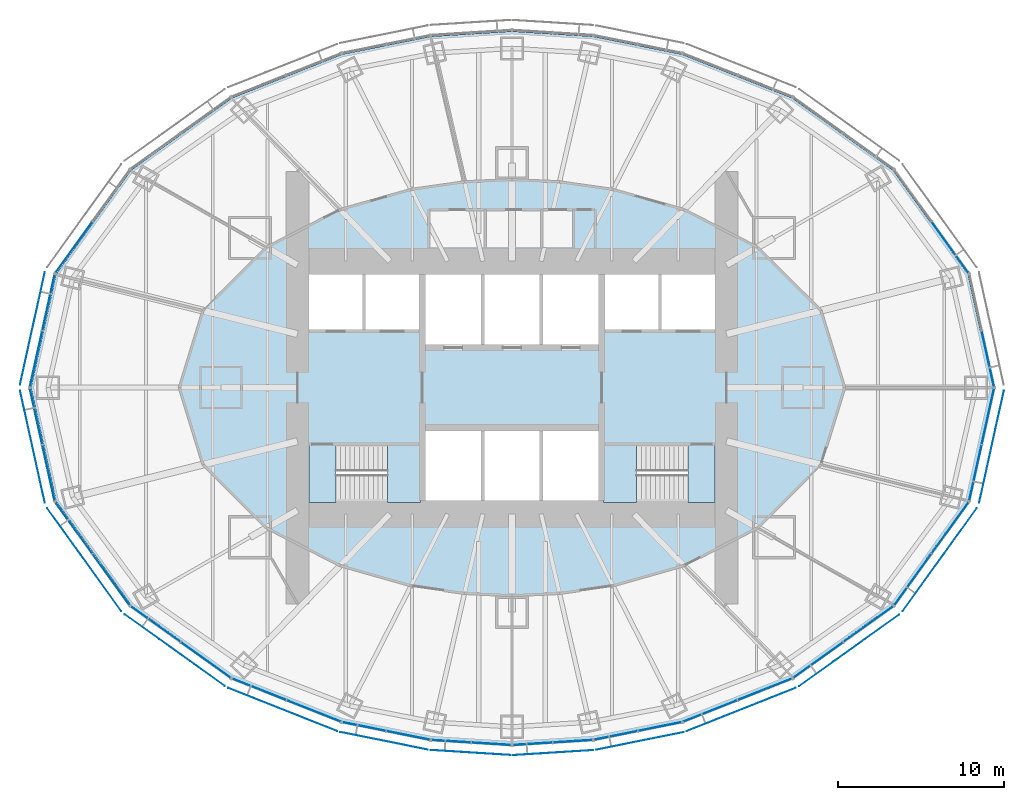
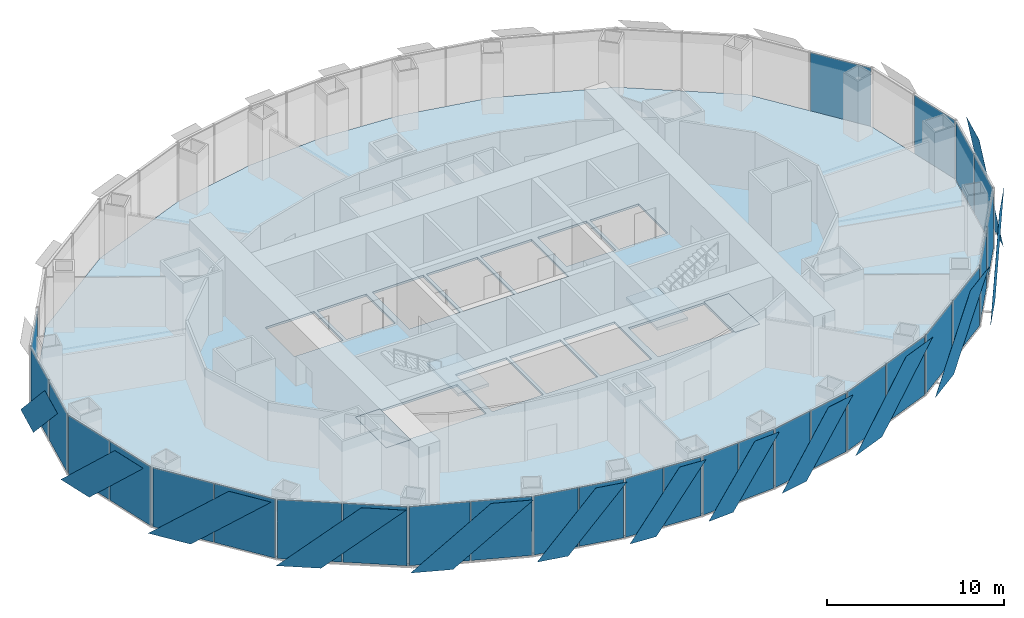
# One storey, part 9 of 18: 42 plates, 5 slabs, 18 elements without a shape of their own.
"""IFC4 building model written with IfcOpenShell, lengths in metres."""

from ifc_helpers import new_model, si_unit, direction, frame, origin, origin_2d, place, context, subcontext, project, spatial, polyline, rectangle, outline, extrude, material, layer, layer_set, type_object, element, aggregate, save


model = new_model("IFC4")

# Units and contexts
model_context = context("Model", 3, precision=1e-05, world=origin(), true_north=direction((0.0, 1.0)))
body_context = subcontext(model_context, "Body", "Model", "MODEL_VIEW")
ifc_project = project(units=[si_unit("LENGTHUNIT", "METRE"), si_unit("AREAUNIT", "SQUARE_METRE"), si_unit("VOLUMEUNIT", "CUBIC_METRE"), si_unit("PLANEANGLEUNIT", "RADIAN"), si_unit("MASSUNIT", "GRAM", prefix="KILO")], contexts=[model_context])

# Site, building, storey
site_placement = place(None, origin())
site = spatial("IfcSite", under=ifc_project, at=site_placement, CompositionType="ELEMENT")
building_placement = place(site_placement, origin())
building = spatial("IfcBuilding", under=site, at=building_placement, Name="Lantaw Convention Tower", CompositionType="ELEMENT")
storey_placement = place(building_placement, frame((0.0, 0.0, 134.199951171875)))
storey = spatial("IfcBuildingStorey", under=building, at=storey_placement, Name="L31", CompositionType="ELEMENT", Elevation=134.199951171875)

# Curtain wall, plate
ifc_material_1 = material(Name="Aluminium framed curtain wall", Category="aluminium")
curtain_wall_type = type_object("IfcCurtainWallType", Name="Office curtain wall low rise, pale aluminium", PredefinedType="USERDEFINED", material=ifc_material_1)
curtain_wall_1_placement = place(storey_placement, origin())
curtain_wall_1 = element("IfcCurtainWall", 1, at=curtain_wall_1_placement, inside=storey, type_object=curtain_wall_type, Name="Office curtain wall low rise, pale aluminium L31", ObjectType="UNITISED CURTAIN WALL", PredefinedType="USERDEFINED")
ifc_material_2 = material(Name="Clear insulating glass", Category="glass")
ifc_layer_1 = layer(ifc_material_2, 0.028076171875)
ifc_layer_set_1 = layer_set([ifc_layer_1], Name="CW-O1 panel 28")
plate_type_1 = type_object("IfcPlateType", Name="CW-O1 panel 28", PredefinedType="CURTAIN_PANEL", material=ifc_layer_set_1)
plate_1_placement = place(storey_placement, frame((28.618408203125, 1.729248046875, -0.0849609375), z_axis=(0.0, 0.0, 1.0), x_axis=(-0.215546166174, 0.9764936509, 0.0)))
plate_1 = element("IfcPlate", 2, at=plate_1_placement, type_object=plate_type_1, Name="CW-O1 panel 1.1", PredefinedType="CURTAIN_PANEL", context=body_context, shape_type="SweptSolid", body=[
    extrude(rectangle(XDim=3.41162109375, YDim=0.028076171875, at=origin_2d()), origin(), (0.0, 0.0, 1.0), 4.070068359375),
])
aggregate(curtain_wall_1, [plate_1])

curtain_wall_2_placement = place(storey_placement, origin())
curtain_wall_2 = element("IfcCurtainWall", 3, at=curtain_wall_2_placement, inside=storey, type_object=curtain_wall_type, Name="Office curtain wall low rise, pale aluminium L31", ObjectType="UNITISED CURTAIN WALL", PredefinedType="USERDEFINED")
plate_2_placement = place(storey_placement, frame((26.34814453125, 8.4345703125, -0.0849609375), z_axis=(0.0, 0.0, 1.0), x_axis=(-0.584512597221, 0.811384633629, 0.0)))
plate_2 = element("IfcPlate", 4, at=plate_2_placement, type_object=plate_type_1, Name="CW-O1 panel 1.1", PredefinedType="CURTAIN_PANEL", context=body_context, shape_type="SweptSolid", body=[
    extrude(rectangle(XDim=3.767333984375, YDim=0.028076171875, at=origin_2d()), origin(), (0.0, 0.0, 1.0), 4.070068359375),
])
aggregate(curtain_wall_2, [plate_2])

curtain_wall_3_placement = place(storey_placement, origin())
curtain_wall_3 = element("IfcCurtainWall", 5, at=curtain_wall_3_placement, inside=storey, type_object=curtain_wall_type, Name="Office curtain wall low rise, pale aluminium L31", ObjectType="UNITISED CURTAIN WALL", PredefinedType="USERDEFINED")
plate_3_placement = place(storey_placement, frame((-26.34814453125, 8.4345703125, -0.0849609375), z_axis=(0.0, 0.0, 1.0), x_axis=(-0.584512597221, -0.811384633629, 0.0)))
plate_3 = element("IfcPlate", 6, at=plate_3_placement, type_object=plate_type_1, Name="CW-O1 panel 2.1", PredefinedType="CURTAIN_PANEL", context=body_context, shape_type="SweptSolid", body=[
    extrude(rectangle(XDim=3.767333984375, YDim=0.028076171875, at=origin_2d()), origin(), (0.0, 0.0, 1.0), 4.070068359375),
])
aggregate(curtain_wall_3, [plate_3])

# Curtain wall, plates
curtain_wall_4_placement = place(storey_placement, origin())
curtain_wall_4 = element("IfcCurtainWall", 7, at=curtain_wall_4_placement, inside=storey, type_object=curtain_wall_type, Name="Office curtain wall low rise, pale aluminium L31", ObjectType="UNITISED CURTAIN WALL", PredefinedType="USERDEFINED")
plate_4_placement = place(storey_placement, frame((-27.868896484375, 5.1240234375, -0.0849609375), z_axis=(0.0, 0.0, 1.0), x_axis=(-0.215546166174, -0.9764936509, 0.0)))
plate_4 = element("IfcPlate", 8, at=plate_4_placement, type_object=plate_type_1, Name="CW-O1 panel 1.1", PredefinedType="CURTAIN_PANEL", context=body_context, shape_type="SweptSolid", body=[
    extrude(rectangle(XDim=3.41162109375, YDim=0.028076171875, at=origin_2d()), origin(), (0.0, 0.0, 1.0), 4.070068359375),
])
plate_5_placement = place(storey_placement, frame((-28.618408203125, 1.729248046875, -0.0849609375), z_axis=(0.0, 0.0, 1.0), x_axis=(-0.215546166174, -0.9764936509, 0.0)))
plate_5 = element("IfcPlate", 9, at=plate_5_placement, type_object=plate_type_1, Name="CW-O1 panel 2.1", PredefinedType="CURTAIN_PANEL", context=body_context, shape_type="SweptSolid", body=[
    extrude(rectangle(XDim=3.41162109375, YDim=0.028076171875, at=origin_2d()), origin(), (0.0, 0.0, 1.0), 4.070068359375),
])
aggregate(curtain_wall_4, [plate_4, plate_5])

curtain_wall_5_placement = place(storey_placement, origin())
curtain_wall_5 = element("IfcCurtainWall", 10, at=curtain_wall_5_placement, inside=storey, type_object=curtain_wall_type, Name="Office curtain wall low rise, pale aluminium L31", ObjectType="UNITISED CURTAIN WALL", PredefinedType="USERDEFINED")
plate_6_placement = place(storey_placement, frame((-28.618408203125, -1.729248046875, -0.0849609375), z_axis=(0.0, 0.0, 1.0), x_axis=(0.215546166174, -0.9764936509, 0.0)))
plate_6 = element("IfcPlate", 11, at=plate_6_placement, type_object=plate_type_1, Name="CW-O1 panel 1.1", PredefinedType="CURTAIN_PANEL", context=body_context, shape_type="SweptSolid", body=[
    extrude(rectangle(XDim=3.41162109375, YDim=0.028076171875, at=origin_2d()), origin(), (0.0, 0.0, 1.0), 4.070068359375),
])
plate_7_placement = place(storey_placement, frame((-27.868896484375, -5.1240234375, -0.0849609375), z_axis=(0.0, 0.0, 1.0), x_axis=(0.215546166174, -0.9764936509, 0.0)))
plate_7 = element("IfcPlate", 12, at=plate_7_placement, type_object=plate_type_1, Name="CW-O1 panel 2.1", PredefinedType="CURTAIN_PANEL", context=body_context, shape_type="SweptSolid", body=[
    extrude(rectangle(XDim=3.41162109375, YDim=0.028076171875, at=origin_2d()), origin(), (0.0, 0.0, 1.0), 4.070068359375),
])
aggregate(curtain_wall_5, [plate_6, plate_7])

curtain_wall_6_placement = place(storey_placement, origin())
curtain_wall_6 = element("IfcCurtainWall", 13, at=curtain_wall_6_placement, inside=storey, type_object=curtain_wall_type, Name="Office curtain wall low rise, pale aluminium L31", ObjectType="UNITISED CURTAIN WALL", PredefinedType="USERDEFINED")
plate_8_placement = place(storey_placement, frame((-26.34814453125, -8.4345703125, -0.0849609375), z_axis=(0.0, 0.0, 1.0), x_axis=(0.584512597221, -0.811384633629, 0.0)))
plate_8 = element("IfcPlate", 14, at=plate_8_placement, type_object=plate_type_1, Name="CW-O1 panel 1.1", PredefinedType="CURTAIN_PANEL", context=body_context, shape_type="SweptSolid", body=[
    extrude(rectangle(XDim=3.767333984375, YDim=0.028076171875, at=origin_2d()), origin(), (0.0, 0.0, 1.0), 4.070068359375),
])
plate_9_placement = place(storey_placement, frame((-24.108154296875, -11.5439453125, -0.0849609375), z_axis=(0.0, 0.0, 1.0), x_axis=(0.584512597221, -0.811384633629, 0.0)))
plate_9 = element("IfcPlate", 15, at=plate_9_placement, type_object=plate_type_1, Name="CW-O1 panel 2.1", PredefinedType="CURTAIN_PANEL", context=body_context, shape_type="SweptSolid", body=[
    extrude(rectangle(XDim=3.767333984375, YDim=0.028076171875, at=origin_2d()), origin(), (0.0, 0.0, 1.0), 4.070068359375),
])
aggregate(curtain_wall_6, [plate_8, plate_9])

curtain_wall_7_placement = place(storey_placement, origin())
curtain_wall_7 = element("IfcCurtainWall", 16, at=curtain_wall_7_placement, inside=storey, type_object=curtain_wall_type, Name="Office curtain wall low rise, pale aluminium L31", ObjectType="UNITISED CURTAIN WALL", PredefinedType="USERDEFINED")
plate_10_placement = place(storey_placement, frame((-21.43408203125, -14.2236328125, -0.0849609375), z_axis=(0.0, 0.0, 1.0), x_axis=(0.813208325995, -0.581972695693, 0.0)))
plate_10 = element("IfcPlate", 17, at=plate_10_placement, type_object=plate_type_1, Name="CW-O1 panel 1.1", PredefinedType="CURTAIN_PANEL", context=body_context, shape_type="SweptSolid", body=[
    extrude(rectangle(XDim=3.645263671875, YDim=0.028076171875, at=origin_2d()), origin(), (0.0, 0.0, 1.0), 4.070068359375),
])
plate_11_placement = place(storey_placement, frame((-18.416748046875, -16.383056640625, -0.0849609375), z_axis=(0.0, 0.0, 1.0), x_axis=(0.813208325995, -0.581972695693, 0.0)))
plate_11 = element("IfcPlate", 18, at=plate_11_placement, type_object=plate_type_1, Name="CW-O1 panel 2.1", PredefinedType="CURTAIN_PANEL", context=body_context, shape_type="SweptSolid", body=[
    extrude(rectangle(XDim=3.645263671875, YDim=0.028076171875, at=origin_2d()), origin(), (0.0, 0.0, 1.0), 4.070068359375),
])
aggregate(curtain_wall_7, [plate_10, plate_11])

curtain_wall_8_placement = place(storey_placement, origin())
curtain_wall_8 = element("IfcCurtainWall", 19, at=curtain_wall_8_placement, inside=storey, type_object=curtain_wall_type, Name="Office curtain wall low rise, pale aluminium L31", ObjectType="UNITISED CURTAIN WALL", PredefinedType="USERDEFINED")
plate_12_placement = place(storey_placement, frame((-15.208251953125, -18.145263671875, -0.0849609375), z_axis=(0.0, 0.0, 1.0), x_axis=(0.929547687544, -0.368701907483, 0.0)))
plate_12 = element("IfcPlate", 20, at=plate_12_placement, type_object=plate_type_1, Name="CW-O1 panel 1.1", PredefinedType="CURTAIN_PANEL", context=body_context, shape_type="SweptSolid", body=[
    extrude(rectangle(XDim=3.470703125, YDim=0.028076171875, at=origin_2d()), origin(), (0.0, 0.0, 1.0), 4.070068359375),
])
plate_13_placement = place(storey_placement, frame((-11.921630859375, -19.448974609375, -0.0849609375), z_axis=(0.0, 0.0, 1.0), x_axis=(0.929547687544, -0.368701907483, 0.0)))
plate_13 = element("IfcPlate", 21, at=plate_13_placement, type_object=plate_type_1, Name="CW-O1 panel 2.1", PredefinedType="CURTAIN_PANEL", context=body_context, shape_type="SweptSolid", body=[
    extrude(rectangle(XDim=3.470703125, YDim=0.028076171875, at=origin_2d()), origin(), (0.0, 0.0, 1.0), 4.070068359375),
])
aggregate(curtain_wall_8, [plate_12, plate_13])

curtain_wall_9_placement = place(storey_placement, origin())
curtain_wall_9 = element("IfcCurtainWall", 22, at=curtain_wall_9_placement, inside=storey, type_object=curtain_wall_type, Name="Office curtain wall low rise, pale aluminium L31", ObjectType="UNITISED CURTAIN WALL", PredefinedType="USERDEFINED")
plate_14_placement = place(storey_placement, frame((-8.893310546875, -20.3857421875, -0.0849609375), z_axis=(0.0, 0.0, 1.0), x_axis=(0.980301514912, -0.197506809659, 0.0)))
plate_14 = element("IfcPlate", 23, at=plate_14_placement, type_object=plate_type_1, Name="CW-O1 panel 1.1", PredefinedType="CURTAIN_PANEL", context=body_context, shape_type="SweptSolid", body=[
    extrude(rectangle(XDim=2.634033203125, YDim=0.028076171875, at=origin_2d()), origin(), (0.0, 0.0, 1.0), 4.070068359375),
])
plate_15_placement = place(storey_placement, frame((-6.247314453125, -20.9189453125, -0.0849609375), z_axis=(0.0, 0.0, 1.0), x_axis=(0.980301514912, -0.197506809659, 0.0)))
plate_15 = element("IfcPlate", 24, at=plate_15_placement, type_object=plate_type_1, Name="CW-O1 panel 2.1", PredefinedType="CURTAIN_PANEL", context=body_context, shape_type="SweptSolid", body=[
    extrude(rectangle(XDim=2.634033203125, YDim=0.028076171875, at=origin_2d()), origin(), (0.0, 0.0, 1.0), 4.070068359375),
])
aggregate(curtain_wall_9, [plate_14, plate_15])

curtain_wall_10_placement = place(storey_placement, origin())
curtain_wall_10 = element("IfcCurtainWall", 25, at=curtain_wall_10_placement, inside=storey, type_object=curtain_wall_type, Name="Office curtain wall low rise, pale aluminium L31", ObjectType="UNITISED CURTAIN WALL", PredefinedType="USERDEFINED")
plate_16_placement = place(storey_placement, frame((-3.653076171875, -21.269775390625, -0.0849609375), z_axis=(0.0, 0.0, 1.0), x_axis=(0.998022035978, -0.062865059466, 0.0)))
plate_16 = element("IfcPlate", 26, at=plate_16_placement, type_object=plate_type_1, Name="CW-O1 panel 1.1", PredefinedType="CURTAIN_PANEL", context=body_context, shape_type="SweptSolid", body=[
    extrude(rectangle(XDim=2.353515625, YDim=0.028076171875, at=origin_2d()), origin(), (0.0, 0.0, 1.0), 4.070068359375),
])
plate_17_placement = place(storey_placement, frame((-1.2392578125, -21.421875, -0.0849609375), z_axis=(0.0, 0.0, 1.0), x_axis=(0.998022035978, -0.062865059466, 0.0)))
plate_17 = element("IfcPlate", 27, at=plate_17_placement, type_object=plate_type_1, Name="CW-O1 panel 2.1", PredefinedType="CURTAIN_PANEL", context=body_context, shape_type="SweptSolid", body=[
    extrude(rectangle(XDim=2.353515625, YDim=0.028076171875, at=origin_2d()), origin(), (0.0, 0.0, 1.0), 4.070068359375),
])
aggregate(curtain_wall_10, [plate_16, plate_17])

curtain_wall_11_placement = place(storey_placement, origin())
curtain_wall_11 = element("IfcCurtainWall", 28, at=curtain_wall_11_placement, inside=storey, type_object=curtain_wall_type, Name="Office curtain wall low rise, pale aluminium L31", ObjectType="UNITISED CURTAIN WALL", PredefinedType="USERDEFINED")
plate_18_placement = place(storey_placement, frame((1.2392578125, -21.421875, -0.0849609375), z_axis=(0.0, 0.0, 1.0), x_axis=(0.998022035978, 0.062865059466, 0.0)))
plate_18 = element("IfcPlate", 29, at=plate_18_placement, type_object=plate_type_1, Name="CW-O1 panel 1.1", PredefinedType="CURTAIN_PANEL", context=body_context, shape_type="SweptSolid", body=[
    extrude(rectangle(XDim=2.353515625, YDim=0.028076171875, at=origin_2d()), origin(), (0.0, 0.0, 1.0), 4.070068359375),
])
plate_19_placement = place(storey_placement, frame((3.653076171875, -21.269775390625, -0.0849609375), z_axis=(0.0, 0.0, 1.0), x_axis=(0.998022035978, 0.062865059466, 0.0)))
plate_19 = element("IfcPlate", 30, at=plate_19_placement, type_object=plate_type_1, Name="CW-O1 panel 2.1", PredefinedType="CURTAIN_PANEL", context=body_context, shape_type="SweptSolid", body=[
    extrude(rectangle(XDim=2.353515625, YDim=0.028076171875, at=origin_2d()), origin(), (0.0, 0.0, 1.0), 4.070068359375),
])
aggregate(curtain_wall_11, [plate_18, plate_19])

curtain_wall_12_placement = place(storey_placement, origin())
curtain_wall_12 = element("IfcCurtainWall", 31, at=curtain_wall_12_placement, inside=storey, type_object=curtain_wall_type, Name="Office curtain wall low rise, pale aluminium L31", ObjectType="UNITISED CURTAIN WALL", PredefinedType="USERDEFINED")
plate_20_placement = place(storey_placement, frame((6.247314453125, -20.9189453125, -0.0849609375), z_axis=(0.0, 0.0, 1.0), x_axis=(0.980301514912, 0.197506809659, 0.0)))
plate_20 = element("IfcPlate", 32, at=plate_20_placement, type_object=plate_type_1, Name="CW-O1 panel 1.1", PredefinedType="CURTAIN_PANEL", context=body_context, shape_type="SweptSolid", body=[
    extrude(rectangle(XDim=2.634033203125, YDim=0.028076171875, at=origin_2d()), origin(), (0.0, 0.0, 1.0), 4.070068359375),
])
plate_21_placement = place(storey_placement, frame((8.893310546875, -20.3857421875, -0.0849609375), z_axis=(0.0, 0.0, 1.0), x_axis=(0.980301514912, 0.197506809659, 0.0)))
plate_21 = element("IfcPlate", 33, at=plate_21_placement, type_object=plate_type_1, Name="CW-O1 panel 2.1", PredefinedType="CURTAIN_PANEL", context=body_context, shape_type="SweptSolid", body=[
    extrude(rectangle(XDim=2.634033203125, YDim=0.028076171875, at=origin_2d()), origin(), (0.0, 0.0, 1.0), 4.070068359375),
])
aggregate(curtain_wall_12, [plate_20, plate_21])

curtain_wall_13_placement = place(storey_placement, origin())
curtain_wall_13 = element("IfcCurtainWall", 34, at=curtain_wall_13_placement, inside=storey, type_object=curtain_wall_type, Name="Office curtain wall low rise, pale aluminium L31", ObjectType="UNITISED CURTAIN WALL", PredefinedType="USERDEFINED")
plate_22_placement = place(storey_placement, frame((11.921630859375, -19.448974609375, -0.0849609375), z_axis=(0.0, 0.0, 1.0), x_axis=(0.929547687544, 0.368701907483, 0.0)))
plate_22 = element("IfcPlate", 35, at=plate_22_placement, type_object=plate_type_1, Name="CW-O1 panel 1.1", PredefinedType="CURTAIN_PANEL", context=body_context, shape_type="SweptSolid", body=[
    extrude(rectangle(XDim=3.470703125, YDim=0.028076171875, at=origin_2d()), origin(), (0.0, 0.0, 1.0), 4.070068359375),
])
plate_23_placement = place(storey_placement, frame((15.208251953125, -18.145263671875, -0.0849609375), z_axis=(0.0, 0.0, 1.0), x_axis=(0.929547687544, 0.368701907483, 0.0)))
plate_23 = element("IfcPlate", 36, at=plate_23_placement, type_object=plate_type_1, Name="CW-O1 panel 2.1", PredefinedType="CURTAIN_PANEL", context=body_context, shape_type="SweptSolid", body=[
    extrude(rectangle(XDim=3.470703125, YDim=0.028076171875, at=origin_2d()), origin(), (0.0, 0.0, 1.0), 4.070068359375),
])
aggregate(curtain_wall_13, [plate_22, plate_23])

curtain_wall_14_placement = place(storey_placement, origin())
curtain_wall_14 = element("IfcCurtainWall", 37, at=curtain_wall_14_placement, inside=storey, type_object=curtain_wall_type, Name="Office curtain wall low rise, pale aluminium L31", ObjectType="UNITISED CURTAIN WALL", PredefinedType="USERDEFINED")
plate_24_placement = place(storey_placement, frame((18.416748046875, -16.383056640625, -0.0849609375), z_axis=(0.0, 0.0, 1.0), x_axis=(0.813208325995, 0.581972695693, 0.0)))
plate_24 = element("IfcPlate", 38, at=plate_24_placement, type_object=plate_type_1, Name="CW-O1 panel 1.1", PredefinedType="CURTAIN_PANEL", context=body_context, shape_type="SweptSolid", body=[
    extrude(rectangle(XDim=3.645263671875, YDim=0.028076171875, at=origin_2d()), origin(), (0.0, 0.0, 1.0), 4.070068359375),
])
plate_25_placement = place(storey_placement, frame((21.43408203125, -14.2236328125, -0.0849609375), z_axis=(0.0, 0.0, 1.0), x_axis=(0.813208325995, 0.581972695693, 0.0)))
plate_25 = element("IfcPlate", 39, at=plate_25_placement, type_object=plate_type_1, Name="CW-O1 panel 2.1", PredefinedType="CURTAIN_PANEL", context=body_context, shape_type="SweptSolid", body=[
    extrude(rectangle(XDim=3.645263671875, YDim=0.028076171875, at=origin_2d()), origin(), (0.0, 0.0, 1.0), 4.070068359375),
])
aggregate(curtain_wall_14, [plate_24, plate_25])

curtain_wall_15_placement = place(storey_placement, origin())
curtain_wall_15 = element("IfcCurtainWall", 40, at=curtain_wall_15_placement, inside=storey, type_object=curtain_wall_type, Name="Office curtain wall low rise, pale aluminium L31", ObjectType="UNITISED CURTAIN WALL", PredefinedType="USERDEFINED")
plate_26_placement = place(storey_placement, frame((24.108154296875, -11.5439453125, -0.0849609375), z_axis=(0.0, 0.0, 1.0), x_axis=(0.584512597221, 0.811384633629, 0.0)))
plate_26 = element("IfcPlate", 41, at=plate_26_placement, type_object=plate_type_1, Name="CW-O1 panel 1.1", PredefinedType="CURTAIN_PANEL", context=body_context, shape_type="SweptSolid", body=[
    extrude(rectangle(XDim=3.767333984375, YDim=0.028076171875, at=origin_2d()), origin(), (0.0, 0.0, 1.0), 4.070068359375),
])
plate_27_placement = place(storey_placement, frame((26.34814453125, -8.4345703125, -0.0849609375), z_axis=(0.0, 0.0, 1.0), x_axis=(0.584512597221, 0.811384633629, 0.0)))
plate_27 = element("IfcPlate", 42, at=plate_27_placement, type_object=plate_type_1, Name="CW-O1 panel 2.1", PredefinedType="CURTAIN_PANEL", context=body_context, shape_type="SweptSolid", body=[
    extrude(rectangle(XDim=3.767333984375, YDim=0.028076171875, at=origin_2d()), origin(), (0.0, 0.0, 1.0), 4.070068359375),
])
aggregate(curtain_wall_15, [plate_26, plate_27])

curtain_wall_16_placement = place(storey_placement, origin())
curtain_wall_16 = element("IfcCurtainWall", 43, at=curtain_wall_16_placement, inside=storey, type_object=curtain_wall_type, Name="Office curtain wall low rise, pale aluminium L31", ObjectType="UNITISED CURTAIN WALL", PredefinedType="USERDEFINED")
plate_28_placement = place(storey_placement, frame((27.868896484375, -5.1240234375, -0.0849609375), z_axis=(0.0, 0.0, 1.0), x_axis=(0.215546166174, 0.9764936509, 0.0)))
plate_28 = element("IfcPlate", 44, at=plate_28_placement, type_object=plate_type_1, Name="CW-O1 panel 1.1", PredefinedType="CURTAIN_PANEL", context=body_context, shape_type="SweptSolid", body=[
    extrude(rectangle(XDim=3.41162109375, YDim=0.028076171875, at=origin_2d()), origin(), (0.0, 0.0, 1.0), 4.070068359375),
])
plate_29_placement = place(storey_placement, frame((28.618408203125, -1.729248046875, -0.0849609375), z_axis=(0.0, 0.0, 1.0), x_axis=(0.215546166174, 0.9764936509, 0.0)))
plate_29 = element("IfcPlate", 45, at=plate_29_placement, type_object=plate_type_1, Name="CW-O1 panel 2.1", PredefinedType="CURTAIN_PANEL", context=body_context, shape_type="SweptSolid", body=[
    extrude(rectangle(XDim=3.41162109375, YDim=0.028076171875, at=origin_2d()), origin(), (0.0, 0.0, 1.0), 4.070068359375),
])
aggregate(curtain_wall_16, [plate_28, plate_29])

# Slab
ifc_material_3 = material(Name="Concrete C35/45", Category="concrete")
ifc_layer_2 = layer(ifc_material_3, 0.14990234375)
ifc_layer_set_2 = layer_set([ifc_layer_2], Name="Floor slab 150")
slab_type_1 = type_object("IfcSlabType", Name="Floor slab 150", PredefinedType="FLOOR", material=ifc_layer_set_2)
slab_1_placement = place(storey_placement, frame((0.0, 0.0, -0.14990234375)))
element("IfcSlab", 46, at=slab_1_placement, inside=storey, type_object=slab_type_1, Name="L31 floor slab", PredefinedType="FLOOR", context=body_context, shape_type="SweptSolid", body=[
    extrude(outline(polyline([(27.417236328125, -6.822021484375), (28.923095703125, 0.0), (27.417236328125, 6.822021484375), (22.915283203125, 13.0712890625), (16.845458984375, 17.415283203125), (10.2265625, 20.04052734375), (4.8828125, 21.1171875), (0.0, 21.4248046875), (-4.8828125, 21.1171875), (-10.2265625, 20.04052734375), (-16.845458984375, 17.415283203125), (-22.915283203125, 13.0712890625), (-27.417236328125, 6.822021484375), (-28.923095703125, 0.0), (-27.417236328125, -6.822021484375), (-22.915283203125, -13.0712890625), (-16.845458984375, -17.415283203125), (-10.2265625, -20.04052734375), (-4.8828125, -21.1171875), (0.0, -21.4248046875), (4.8828125, -21.1171875), (10.2265625, -20.04052734375), (16.845458984375, -17.415283203125), (22.915283203125, -13.0712890625), (27.417236328125, -6.822021484375)]), holes=[polyline([(-5.60009765625, -3.5), (-12.199951171875, -3.5), (-12.199951171875, -6.800048828125), (-5.60009765625, -6.800048828125), (-5.60009765625, -3.5)]), polyline([(-1.86669921875, -6.800048828125), (-1.86669921875, -2.60009765625), (-5.199951171875, -2.60009765625), (-5.199951171875, -6.800048828125), (-1.86669921875, -6.800048828125)]), polyline([(-1.86669921875, 2.60009765625), (-1.86669921875, 6.800048828125), (-5.199951171875, 6.800048828125), (-5.199951171875, 2.60009765625), (-1.86669921875, 2.60009765625)]), polyline([(1.666748046875, 6.800048828125), (-1.666748046875, 6.800048828125), (-1.666748046875, 2.60009765625), (1.666748046875, 2.60009765625), (1.666748046875, 6.800048828125)]), polyline([(-9.0, 3.5), (-9.0, 6.800048828125), (-12.199951171875, 6.800048828125), (-12.199951171875, 3.5), (-9.0, 3.5)]), polyline([(-5.60009765625, 3.5), (-5.60009765625, 6.800048828125), (-8.800048828125, 6.800048828125), (-8.800048828125, 3.5), (-5.60009765625, 3.5)]), polyline([(12.199951171875, -3.5), (5.60009765625, -3.5), (5.60009765625, -6.800048828125), (12.199951171875, -6.800048828125), (12.199951171875, -3.5)]), polyline([(1.666748046875, -6.800048828125), (1.666748046875, -2.60009765625), (-1.666748046875, -2.60009765625), (-1.666748046875, -6.800048828125), (1.666748046875, -6.800048828125)]), polyline([(5.199951171875, -6.800048828125), (5.199951171875, -2.60009765625), (1.86669921875, -2.60009765625), (1.86669921875, -6.800048828125), (5.199951171875, -6.800048828125)]), polyline([(5.199951171875, 6.800048828125), (1.86669921875, 6.800048828125), (1.86669921875, 2.60009765625), (5.199951171875, 2.60009765625), (5.199951171875, 6.800048828125)]), polyline([(8.800048828125, 3.5), (8.800048828125, 6.800048828125), (5.60009765625, 6.800048828125), (5.60009765625, 3.5), (8.800048828125, 3.5)]), polyline([(12.199951171875, 3.5), (12.199951171875, 6.800048828125), (9.0, 6.800048828125), (9.0, 3.5), (12.199951171875, 3.5)])]), origin(), (0.0, 0.0, 1.0), 0.14990234375),
])

# Plates
ifc_material_4 = material(Name="Perforated aluminium sheet, pale silver finish", Category="aluminium")
ifc_layer_3 = layer(ifc_material_4, 0.006103515625)
ifc_layer_set_3 = layer_set([ifc_layer_3], Name="Perforated aluminium solar SCREEN panel")
plate_type_2 = type_object("IfcPlateType", Name="Perforated aluminium solar SCREEN panel", PredefinedType="SHEET", material=ifc_layer_set_3)
plate_30_placement = place(storey_placement, frame((-28.08984375, 6.93505859375, -0.175048828125), z_axis=(0.976497812463, -0.215527309509, 3.332717e-05), x_axis=(-0.215527309629, -0.976497813005, -1.665e-09)))
element("IfcPlate", 47, at=plate_30_placement, inside=storey, type_object=plate_type_2, Name="Solar SCREEN panel", PredefinedType="SHEET", context=body_context, shape_type="SweptSolid", body=[
    extrude(outline(polyline([(0.0, 0.0), (2.386131748388921, 0.0), (6.918240176095255, -4.340087904553372), (4.532055808734257, -4.3400878966079945), (0.0, 0.0)])), origin(), (0.0, 0.0, -1.0), 0.006103515625),
])
plate_31_placement = place(storey_placement, frame((-29.5810546875, -0.179443359375, -0.175048828125), z_axis=(-0.976497812463, -0.215527309509, 3.332717e-05), x_axis=(0.215527309629, -0.976497813005, 1.665e-09)))
element("IfcPlate", 48, at=plate_31_placement, inside=storey, type_object=plate_type_2, Name="Solar SCREEN panel", PredefinedType="SHEET", context=body_context, shape_type="SweptSolid", body=[
    extrude(outline(polyline([(0.0, 0.0), (2.3861843673609986, 3.3881317890172014e-21), (6.918240190546627, 4.340087881517419), (4.532108442157707, 4.340087889462621), (0.0, 0.0)])), origin(), (0.0, 0.0, -1.0), 0.006103515625),
])
plate_32_placement = place(storey_placement, frame((-27.94970703125, -7.248046875, -0.175048828125), z_axis=(-0.81139512159, -0.584498037099, 3.5886784e-05), x_axis=(0.584498037475, -0.811395122112, -9.74e-10)))
element("IfcPlate", 49, at=plate_32_placement, inside=storey, type_object=plate_type_2, Name="Solar SCREEN panel", PredefinedType="SHEET", context=body_context, shape_type="SweptSolid", body=[
    extrude(outline(polyline([(0.0, 0.0), (2.628222178575422, -6.776263578034403e-21), (7.629778257969264, 4.340087900852944), (5.001754173906077, 4.340087895732103), (0.0, 0.0)])), origin(), (0.0, 0.0, -1.0), 0.006103515625),
])
plate_33_placement = place(storey_placement, frame((-23.281005859375, -13.64697265625, -0.175048828125), z_axis=(-0.582000183937, -0.813188653244, 1.1537145e-05), x_axis=(0.813188653298, -0.582000183975, 0.0)))
element("IfcPlate", 50, at=plate_33_placement, inside=storey, type_object=plate_type_2, Name="Solar SCREEN panel", PredefinedType="SHEET", context=body_context, shape_type="SweptSolid", body=[
    extrude(outline(polyline([(0.0, 0.0), (2.5450183911586484, 0.0), (7.385531276904658, 4.340087890913846), (4.840512885746009, 4.340087890913846), (0.0, 0.0)])), origin(), (0.0, 0.0, -1.0), 0.006103515625),
])
plate_34_placement = place(storey_placement, frame((-17.05859375, -18.063232421875, -0.175048828125), z_axis=(0.368708915367, 0.929544907797, 1.086705e-05), x_axis=(0.929544907851, -0.368708915389, 7.1e-10)))
element("IfcPlate", 51, at=plate_34_placement, inside=storey, type_object=plate_type_2, Name="Solar SCREEN panel", PredefinedType="SHEET", context=body_context, shape_type="SweptSolid", body=[
    extrude(outline(polyline([(0.0, 0.0), (2.4263803793049097, -1.6940658945086007e-21), (7.036549629566982, -4.340087885886879), (4.61003232741235, -4.340087889331358), (0.0, 0.0)])), origin(), (0.0, 0.0, -1.0), 0.006103515625),
])
plate_35_placement = place(storey_placement, frame((-10.318603515625, -20.716796875, -0.175048828125), z_axis=(-0.197556725442, -0.980291455983, 3.9483498e-05), x_axis=(0.980291456747, -0.197556725596, 0.0)))
element("IfcPlate", 52, at=plate_35_placement, inside=storey, type_object=plate_type_2, Name="Solar SCREEN panel", PredefinedType="SHEET", context=body_context, shape_type="SweptSolid", body=[
    extrude(outline(polyline([(0.0, 0.0), (1.8574075788555457, 3.3881317890172014e-21), (5.362987026845185, 4.340087894007983), (3.505579447989639, 4.340087894007983), (0.0, 0.0)])), origin(), (0.0, 0.0, -1.0), 0.006103515625),
])
plate_36_placement = place(storey_placement, frame((-4.880615234375, -21.7998046875, -0.175048828125), z_axis=(-0.062838799866, -0.998023689713, 1.755059e-06), x_axis=(0.998023689715, -0.062838799866, -8e-12)))
element("IfcPlate", 53, at=plate_36_placement, inside=storey, type_object=plate_type_2, Name="Solar SCREEN panel", PredefinedType="SHEET", context=body_context, shape_type="SweptSolid", body=[
    extrude(outline(polyline([(0.0, 0.0), (1.6666243269452135, 2.6469779601696886e-23), (4.802214797186689, 4.340087890670476), (3.135346812114104, 4.340087890643548), (0.0, 0.0)])), origin(), (0.0, 0.0, -1.0), 0.006103515625),
])
plate_37_placement = place(storey_placement, frame((0.087890625, -22.1015625, -0.175048828125), z_axis=(-0.062838799866, 0.998023689713, 1.755059e-06), x_axis=(0.998023689715, 0.062838799866, 8e-12)))
element("IfcPlate", 54, at=plate_37_placement, inside=storey, type_object=plate_type_2, Name="Solar SCREEN panel", PredefinedType="SHEET", context=body_context, shape_type="SweptSolid", body=[
    extrude(outline(polyline([(0.0, 0.0), (1.6668679850725854, -5.293955920339377e-23), (4.802214797256801, -4.340087890592899), (3.1355904703115876, -4.340087890619822), (0.0, 0.0)])), origin(), (0.0, 0.0, -1.0), 0.006103515625),
])
plate_38_placement = place(storey_placement, frame((5.061279296875, -21.776123046875, -0.175048828125), z_axis=(-0.197556725442, 0.980291455983, 3.9483498e-05), x_axis=(0.980291456747, 0.197556725596, 0.0)))
element("IfcPlate", 55, at=plate_38_placement, inside=storey, type_object=plate_type_2, Name="Solar SCREEN panel", PredefinedType="SHEET", context=body_context, shape_type="SweptSolid", body=[
    extrude(outline(polyline([(0.0, 0.0), (1.8574075788555457, -3.3881317890172014e-21), (5.362987026845185, -4.340087894007983), (3.505579447989639, -4.340087894007983), (0.0, 0.0)])), origin(), (0.0, 0.0, -1.0), 0.006103515625),
])
plate_39_placement = place(storey_placement, frame((10.517822265625, -20.65771484375, -0.175048828125), z_axis=(0.368708915367, -0.929544907797, 1.086705e-05), x_axis=(0.929544907851, 0.368708915389, -7.1e-10)))
element("IfcPlate", 56, at=plate_39_placement, inside=storey, type_object=plate_type_2, Name="Solar SCREEN panel", PredefinedType="SHEET", context=body_context, shape_type="SweptSolid", body=[
    extrude(outline(polyline([(0.0, 0.0), (2.426517302154632, -1.6940658945086007e-21), (7.036549623406159, 4.340087895875372), (4.610169244101249, 4.340087892431086), (0.0, 0.0)])), origin(), (0.0, 0.0, -1.0), 0.006103515625),
])
plate_40_placement = place(storey_placement, frame((17.275146484375, -17.9453125, -0.175048828125), z_axis=(-0.582000183937, 0.813188653244, 1.1537145e-05), x_axis=(0.813188653298, 0.582000183975, 0.0)))
element("IfcPlate", 57, at=plate_40_placement, inside=storey, type_object=plate_type_2, Name="Solar SCREEN panel", PredefinedType="SHEET", context=body_context, shape_type="SweptSolid", body=[
    extrude(outline(polyline([(0.0, 0.0), (2.5450183911586484, 0.0), (7.385531276904658, -4.340087890913846), (4.840512885746009, -4.340087890913846), (0.0, 0.0)])), origin(), (0.0, 0.0, -1.0), 0.006103515625),
])
plate_41_placement = place(storey_placement, frame((23.489990234375, -13.438720703125, -0.175048828125), z_axis=(-0.81139512159, 0.584498037099, 3.5886784e-05), x_axis=(0.584498037475, 0.811395122112, 9.74e-10)))
element("IfcPlate", 58, at=plate_41_placement, inside=storey, type_object=plate_type_2, Name="Solar SCREEN panel", PredefinedType="SHEET", context=body_context, shape_type="SweptSolid", body=[
    extrude(outline(polyline([(0.0, 0.0), (2.6280240840631874, -6.776263578034403e-21), (7.6297782664261495, -4.340087885985926), (5.0015560878507275, -4.340087891107152), (0.0, 0.0)])), origin(), (0.0, 0.0, -1.0), 0.006103515625),
])
plate_42_placement = place(storey_placement, frame((28.08984375, -6.93505859375, -0.175048828125), z_axis=(-0.976497812463, 0.215527309509, 3.332717e-05), x_axis=(0.215527309629, 0.976497813005, -1.665e-09)))
element("IfcPlate", 59, at=plate_42_placement, inside=storey, type_object=plate_type_2, Name="Solar SCREEN panel", PredefinedType="SHEET", context=body_context, shape_type="SweptSolid", body=[
    extrude(outline(polyline([(0.0, 0.0), (2.386131748388921, 0.0), (6.918240176095255, -4.340087904553372), (4.532055808734257, -4.3400878966079945), (0.0, 0.0)])), origin(), (0.0, 0.0, -1.0), 0.006103515625),
])

# Stair, slabs
stair_type = type_object("IfcStairType", Name="Exit stair 1500 riser 175 in 2 flights", PredefinedType="HALF_TURN_STAIR", material=ifc_material_3)
stair_1_placement = place(storey_placement, origin())
stair_1 = element("IfcStair", 60, at=stair_1_placement, inside=storey, type_object=stair_type, Name="Exit stair S1 L31", PredefinedType="HALF_TURN_STAIR")
ifc_layer_4 = layer(ifc_material_3, 0.199951171875)
ifc_layer_set_4 = layer_set([ifc_layer_4], Name="Stair landing 200")
slab_type_2 = type_object("IfcSlabType", Name="Stair landing 200", PredefinedType="LANDING", material=ifc_layer_set_4)
slab_2_placement = place(storey_placement, frame((0.0, 0.0, -0.199951171875)))
slab_2 = element("IfcSlab", 61, at=slab_2_placement, type_object=slab_type_2, Name="S1 landing 1", PredefinedType="LANDING", context=body_context, shape_type="SweptSolid", body=[
    extrude(outline(polyline([(-12.199951171875, -6.89990234375), (-10.580078125, -6.89990234375), (-10.580078125, -3.39990234375), (-12.199951171875, -3.39990234375), (-12.199951171875, -6.89990234375)])), origin(), (0.0, 0.0, 1.0), 0.199951171875),
])
slab_3_placement = place(storey_placement, frame((0.0, 0.0, 1.900146484375)))
slab_3 = element("IfcSlab", 62, at=slab_3_placement, type_object=slab_type_2, Name="S1 landing 2", PredefinedType="LANDING", context=body_context, shape_type="SweptSolid", body=[
    extrude(outline(polyline([(-7.5, -6.89990234375), (-5.5, -6.89990234375), (-5.5, -3.39990234375), (-7.5, -3.39990234375), (-7.5, -6.89990234375)])), origin(), (0.0, 0.0, 1.0), 0.199951171875),
])
aggregate(stair_1, [slab_2, slab_3])

stair_2_placement = place(storey_placement, origin())
stair_2 = element("IfcStair", 63, at=stair_2_placement, inside=storey, type_object=stair_type, Name="Exit stair S2 L31", PredefinedType="HALF_TURN_STAIR")
slab_4_placement = place(storey_placement, frame((0.0, 0.0, -0.199951171875)))
slab_4 = element("IfcSlab", 64, at=slab_4_placement, type_object=slab_type_2, Name="S2 landing 1", PredefinedType="LANDING", context=body_context, shape_type="SweptSolid", body=[
    extrude(outline(polyline([(10.580078125, -6.89990234375), (12.199951171875, -6.89990234375), (12.199951171875, -3.39990234375), (10.580078125, -3.39990234375), (10.580078125, -6.89990234375)])), origin(), (0.0, 0.0, 1.0), 0.199951171875),
])
slab_5_placement = place(storey_placement, frame((0.0, 0.0, 1.900146484375)))
slab_5 = element("IfcSlab", 65, at=slab_5_placement, type_object=slab_type_2, Name="S2 landing 2", PredefinedType="LANDING", context=body_context, shape_type="SweptSolid", body=[
    extrude(outline(polyline([(5.5, -6.89990234375), (7.5, -6.89990234375), (7.5, -3.39990234375), (5.5, -3.39990234375), (5.5, -6.89990234375)])), origin(), (0.0, 0.0, 1.0), 0.199951171875),
])
aggregate(stair_2, [slab_4, slab_5])

save(model, "model.ifc")
